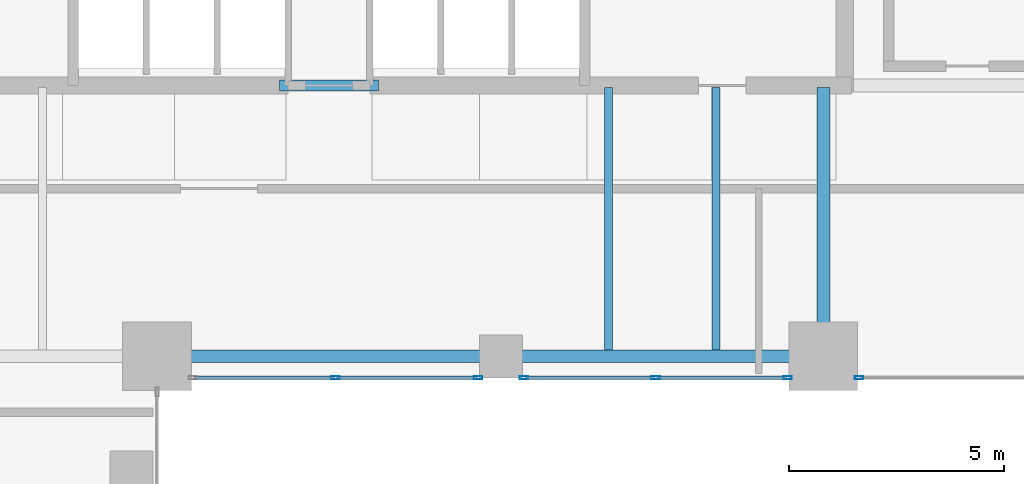
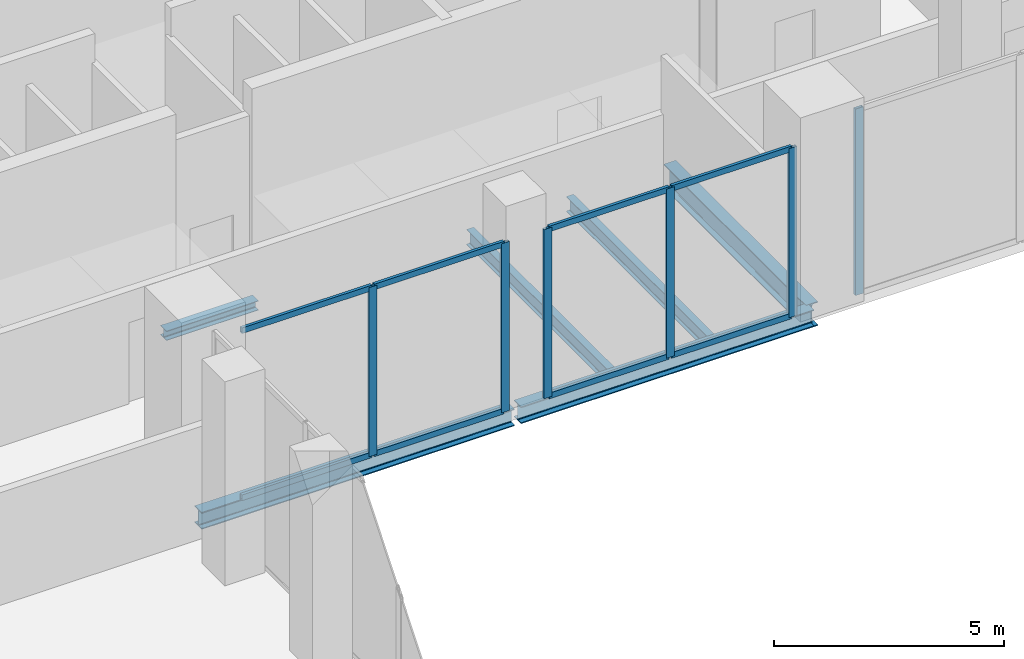
# One storey, part 10 of 24: 14 members, 6 beams, 3 elements without a shape of their own.
"""IFC4 building model written with IfcOpenShell, lengths in metres."""

from ifc_helpers import new_model, si_unit, direction, frame, origin, origin_2d, place, context, subcontext, project, spatial, hollow_rectangle, i_section, extrude, material, layer, layer_set, material_profile, profile_set, type_object, element, aggregate, save


model = new_model("IFC4")

# Units and contexts
model_context = context("Model", 3, precision=1e-05, world=origin(), true_north=direction((0.0, 1.0)))
body_context = subcontext(model_context, "Body", "Model", "MODEL_VIEW")
ifc_project = project(units=[si_unit("LENGTHUNIT", "METRE"), si_unit("AREAUNIT", "SQUARE_METRE"), si_unit("VOLUMEUNIT", "CUBIC_METRE"), si_unit("PLANEANGLEUNIT", "RADIAN"), si_unit("MASSUNIT", "GRAM", prefix="KILO")], contexts=[model_context])

# Site, building, storey
site_placement = place(None, origin())
site = spatial("IfcSite", under=ifc_project, at=site_placement, CompositionType="ELEMENT")
building_placement = place(site_placement, origin())
building = spatial("IfcBuilding", under=site, at=building_placement, Name="Catumbela Crestline Tower", CompositionType="ELEMENT")
storey_placement = place(building_placement, frame((0.0, 0.0, 15.9)))
storey = spatial("IfcBuildingStorey", under=building, at=storey_placement, Name="L03", CompositionType="ELEMENT", Elevation=15.9)

# Beams
ifc_material_1 = material(Name="Structural steel S355J2", Category="steel")
ifc_material_profile_1 = material_profile(ifc_material_1, i_section(OverallWidth=0.3, OverallDepth=0.64, WebThickness=0.0135, FlangeThickness=0.026, FilletRadius=0.027, at=origin_2d()), Name="HEA 650")
ifc_profile_set_1 = profile_set([ifc_material_profile_1], Name="Structural steel S355J2")
beam_type_1 = type_object("IfcBeamType", Name="BG-HEA650", PredefinedType="BEAM", material=ifc_profile_set_1)
beam_1_placement = place(storey_placement, frame((39.5, 24.58, -0.64), z_axis=(0.0, 1.0, 0.0), x_axis=(-1.0, 0.0, 0.0)))
element("IfcBeam", 1, at=beam_1_placement, inside=storey, type_object=beam_type_1, Name="L03 Beam BM-L03-SNS32", PredefinedType="BEAM", context=body_context, shape_type="SweptSolid", body=[
    extrude(i_section(OverallWidth=0.3, OverallDepth=0.64, WebThickness=0.0135, FlangeThickness=0.026, FilletRadius=0.027, at=origin_2d()), origin(), (0.0, 0.0, 1.0), 6.17),
])
ifc_material_profile_2 = material_profile(ifc_material_1, i_section(OverallWidth=0.26, OverallDepth=0.25, WebThickness=0.0075, FlangeThickness=0.0125, FilletRadius=0.024, at=origin_2d()), Name="HEA 260")
ifc_profile_set_2 = profile_set([ifc_material_profile_2], Name="Structural steel S355J2")
beam_type_2 = type_object("IfcBeamType", Name="BL-240", PredefinedType="LINTEL", material=ifc_profile_set_2)
beam_2_placement = place(storey_placement, frame((26.85, 30.8, -0.445), z_axis=(1.0, 0.0, 0.0), x_axis=(0.0, 1.0, 0.0)))
element("IfcBeam", 2, at=beam_2_placement, inside=storey, type_object=beam_type_2, Name="L03 Core Lobby Portal Lintel Beam", PredefinedType="LINTEL", context=body_context, shape_type="SweptSolid", body=[
    extrude(i_section(OverallWidth=0.26, OverallDepth=0.25, WebThickness=0.0075, FlangeThickness=0.0125, FilletRadius=0.024, at=origin_2d()), origin(), (0.0, 0.0, 1.0), 2.3),
])
ifc_material_profile_3 = material_profile(ifc_material_1, i_section(OverallWidth=0.18, OverallDepth=0.4, WebThickness=0.0086, FlangeThickness=0.0135, FilletRadius=0.021, at=origin_2d()), Name="IPE 400")
ifc_profile_set_3 = profile_set([ifc_material_profile_3], Name="Structural steel S355J2")
beam_type_3 = type_object("IfcBeamType", Name="BJ-IPE400", PredefinedType="JOIST", material=ifc_profile_set_3)
for number, where, z_axis, x_axis, name in (
    (3, (34.5, 24.647, -0.52), (0.0, 1.0, 0.0), (-1.0, 0.0, 0.0), "L03 Joist JS-L03-SP41"),
    (4, (37.0, 24.647, -0.52), (0.0, 1.0, 0.0), (-1.0, 0.0, 0.0), "L03 Joist JS-L03-SP42"),
):
    element("IfcBeam", number, at=place(storey_placement, frame(where, z_axis=z_axis, x_axis=x_axis)), inside=storey, type_object=beam_type_3, Name=name, PredefinedType="JOIST", context=body_context, shape_type="SweptSolid", body=[
        extrude(i_section(OverallWidth=0.18, OverallDepth=0.4, WebThickness=0.0086, FlangeThickness=0.0135, FilletRadius=0.021, at=origin_2d()), origin(), (0.0, 0.0, 1.0), 6.103),
    ])

# Curtain wall, members
ifc_material_2 = material(Name="Aluminium alloy AW-6060-T66", Category="aluminium")
ifc_layer = layer(ifc_material_2, 0.18, Name="Aluminium alloy AW-6060-T66")
ifc_layer_set = layer_set([ifc_layer], Name="Aluminium alloy AW-6060-T66")
curtain_wall_type = type_object("IfcCurtainWallType", Name="CWS-POD", PredefinedType="USERDEFINED", material=ifc_layer_set)
curtain_wall_1_placement = place(storey_placement, origin())
curtain_wall_1 = element("IfcCurtainWall", 5, at=curtain_wall_1_placement, inside=storey, type_object=curtain_wall_type, Name="L03 Stick Curtain Wall CW-L03-E3S1", ObjectType="STICK", PredefinedType="USERDEFINED")
ifc_material_profile_4 = material_profile(ifc_material_2, hollow_rectangle(XDim=0.075, YDim=0.2, WallThickness=0.005, at=origin_2d()), Name="ALU 200x75x5")
ifc_profile_set_4 = profile_set([ifc_material_profile_4], Name="Aluminium alloy AW-6060-T66")
member_type_1 = type_object("IfcMemberType", Name="MUL-200X75", PredefinedType="MULLION", material=ifc_profile_set_4)
member_1_placement = place(storey_placement, frame((28.15, 24.0, 0.0), z_axis=(0.0, 0.0, 1.0), x_axis=(0.0, 1.0, 0.0)))
member_1 = element("IfcMember", 6, at=member_1_placement, type_object=member_type_1, Name="CWS-POD mullion 2", PredefinedType="MULLION", context=body_context, shape_type="SweptSolid", body=[
    extrude(hollow_rectangle(XDim=0.075, YDim=0.2, WallThickness=0.005, at=origin_2d()), origin(), (0.0, 0.0, 1.0), 4.48),
])
member_2_placement = place(storey_placement, frame((31.4675, 24.0, 0.0), z_axis=(0.0, 0.0, 1.0), x_axis=(0.0, 1.0, 0.0)))
member_2 = element("IfcMember", 7, at=member_2_placement, type_object=member_type_1, Name="CWS-POD mullion 3", PredefinedType="MULLION", context=body_context, shape_type="SweptSolid", body=[
    extrude(hollow_rectangle(XDim=0.075, YDim=0.2, WallThickness=0.005, at=origin_2d()), origin(), (0.0, 0.0, 1.0), 4.48),
])

curtain_wall_2_placement = place(storey_placement, origin())
curtain_wall_2 = element("IfcCurtainWall", 8, at=curtain_wall_2_placement, inside=storey, type_object=curtain_wall_type, Name="L03 Stick Curtain Wall CW-L03-E3S2", ObjectType="STICK", PredefinedType="USERDEFINED")
member_3_placement = place(storey_placement, frame((32.5325, 24.0, 0.0), z_axis=(0.0, 0.0, 1.0), x_axis=(0.0, 1.0, 0.0)))
member_3 = element("IfcMember", 9, at=member_3_placement, type_object=member_type_1, Name="CWS-POD mullion 1", PredefinedType="MULLION", context=body_context, shape_type="SweptSolid", body=[
    extrude(hollow_rectangle(XDim=0.075, YDim=0.2, WallThickness=0.005, at=origin_2d()), origin(), (0.0, 0.0, 1.0), 4.48),
])
member_4_placement = place(storey_placement, frame((35.6, 24.0, 0.0), z_axis=(0.0, 0.0, 1.0), x_axis=(0.0, 1.0, 0.0)))
member_4 = element("IfcMember", 10, at=member_4_placement, type_object=member_type_1, Name="CWS-POD mullion 2", PredefinedType="MULLION", context=body_context, shape_type="SweptSolid", body=[
    extrude(hollow_rectangle(XDim=0.075, YDim=0.2, WallThickness=0.005, at=origin_2d()), origin(), (0.0, 0.0, 1.0), 4.48),
])
member_5_placement = place(storey_placement, frame((38.6675, 24.0, 0.0), z_axis=(0.0, 0.0, 1.0), x_axis=(0.0, 1.0, 0.0)))
member_5 = element("IfcMember", 11, at=member_5_placement, type_object=member_type_1, Name="CWS-POD mullion 3", PredefinedType="MULLION", context=body_context, shape_type="SweptSolid", body=[
    extrude(hollow_rectangle(XDim=0.075, YDim=0.2, WallThickness=0.005, at=origin_2d()), origin(), (0.0, 0.0, 1.0), 4.48),
])

# Curtain wall, member
curtain_wall_3_placement = place(storey_placement, origin())
curtain_wall_3 = element("IfcCurtainWall", 12, at=curtain_wall_3_placement, inside=storey, type_object=curtain_wall_type, Name="L03 Stick Curtain Wall CW-L03-E3S3", ObjectType="STICK", PredefinedType="USERDEFINED")
member_6_placement = place(storey_placement, frame((40.3325, 24.0, 0.0), z_axis=(0.0, 0.0, 1.0), x_axis=(0.0, 1.0, 0.0)))
member_6 = element("IfcMember", 13, at=member_6_placement, type_object=member_type_1, Name="CWS-POD mullion 1", PredefinedType="MULLION", context=body_context, shape_type="SweptSolid", body=[
    extrude(hollow_rectangle(XDim=0.075, YDim=0.2, WallThickness=0.005, at=origin_2d()), origin(), (0.0, 0.0, 1.0), 4.94),
])
aggregate(curtain_wall_3, [member_6])

# Beams
ifc_material_profile_5 = material_profile(ifc_material_1, i_section(OverallWidth=0.3, OverallDepth=0.45, WebThickness=0.014, FlangeThickness=0.026, FilletRadius=0.027, at=origin_2d()), Name="HEB 450")
ifc_profile_set_5 = profile_set([ifc_material_profile_5], Name="Structural steel S355J2")
beam_type_4 = type_object("IfcBeamType", Name="BS-HEB450", PredefinedType="SPANDREL", material=ifc_profile_set_5)
beam_3_placement = place(storey_placement, frame((24.08, 24.5, -0.545), z_axis=(1.0, 0.0, 0.0), x_axis=(0.0, 1.0, 0.0)))
element("IfcBeam", 14, at=beam_3_placement, inside=storey, type_object=beam_type_4, Name="L03 Spandrel SP-L03-S05", PredefinedType="SPANDREL", context=body_context, shape_type="SweptSolid", body=[
    extrude(i_section(OverallWidth=0.3, OverallDepth=0.45, WebThickness=0.014, FlangeThickness=0.026, FilletRadius=0.027, at=origin_2d()), origin(), (0.0, 0.0, 1.0), 7.84),
])
beam_4_placement = place(storey_placement, frame((32.08, 24.5, -0.545), z_axis=(1.0, 0.0, 0.0), x_axis=(0.0, 1.0, 0.0)))
element("IfcBeam", 15, at=beam_4_placement, inside=storey, type_object=beam_type_4, Name="L03 Spandrel SP-L03-S06", PredefinedType="SPANDREL", context=body_context, shape_type="SweptSolid", body=[
    extrude(i_section(OverallWidth=0.3, OverallDepth=0.45, WebThickness=0.014, FlangeThickness=0.026, FilletRadius=0.027, at=origin_2d()), origin(), (0.0, 0.0, 1.0), 7.34),
])

# Member
ifc_material_profile_6 = material_profile(ifc_material_2, hollow_rectangle(XDim=0.075, YDim=0.15, WallThickness=0.0045, at=origin_2d()), Name="ALU 150x75x4.5")
ifc_profile_set_6 = profile_set([ifc_material_profile_6], Name="Aluminium alloy AW-6060-T66")
member_type_2 = type_object("IfcMemberType", Name="TRN-150X75", PredefinedType="USERDEFINED", material=ifc_profile_set_6)
member_7_placement = place(storey_placement, frame((24.865, 24.0, 0.03), z_axis=(1.0, 0.0, 0.0), x_axis=(0.0, 1.0, 0.0)))
member_7 = element("IfcMember", 16, at=member_7_placement, type_object=member_type_2, Name="CWS-POD transom 1.1", ObjectType="TRANSOM", PredefinedType="USERDEFINED", context=body_context, shape_type="SweptSolid", body=[
    extrude(hollow_rectangle(XDim=0.075, YDim=0.15, WallThickness=0.0045, at=origin_2d()), origin(), (0.0, 0.0, 1.0), 3.2525),
])

member_8_placement = place(storey_placement, frame((24.865, 24.0, 4.45), z_axis=(1.0, 0.0, 0.0), x_axis=(0.0, 1.0, 0.0)))
member_8 = element("IfcMember", 17, at=member_8_placement, type_object=member_type_2, Name="CWS-POD transom 1.2", ObjectType="TRANSOM", PredefinedType="USERDEFINED", context=body_context, shape_type="SweptSolid", body=[
    extrude(hollow_rectangle(XDim=0.075, YDim=0.15, WallThickness=0.0045, at=origin_2d()), origin(), (0.0, 0.0, 1.0), 3.2525),
])

member_9_placement = place(storey_placement, frame((28.1825, 24.0, 0.03), z_axis=(1.0, 0.0, 0.0), x_axis=(0.0, 1.0, 0.0)))
member_9 = element("IfcMember", 18, at=member_9_placement, type_object=member_type_2, Name="CWS-POD transom 2.1", ObjectType="TRANSOM", PredefinedType="USERDEFINED", context=body_context, shape_type="SweptSolid", body=[
    extrude(hollow_rectangle(XDim=0.075, YDim=0.15, WallThickness=0.0045, at=origin_2d()), origin(), (0.0, 0.0, 1.0), 3.2525),
])

member_10_placement = place(storey_placement, frame((28.1825, 24.0, 4.45), z_axis=(1.0, 0.0, 0.0), x_axis=(0.0, 1.0, 0.0)))
member_10 = element("IfcMember", 19, at=member_10_placement, type_object=member_type_2, Name="CWS-POD transom 2.2", ObjectType="TRANSOM", PredefinedType="USERDEFINED", context=body_context, shape_type="SweptSolid", body=[
    extrude(hollow_rectangle(XDim=0.075, YDim=0.15, WallThickness=0.0045, at=origin_2d()), origin(), (0.0, 0.0, 1.0), 3.2525),
])

aggregate(curtain_wall_1, [member_1, member_2, member_7, member_8, member_9, member_10])

member_11_placement = place(storey_placement, frame((32.565, 24.0, 0.03), z_axis=(1.0, 0.0, 0.0), x_axis=(0.0, 1.0, 0.0)))
member_11 = element("IfcMember", 20, at=member_11_placement, type_object=member_type_2, Name="CWS-POD transom 1.1", ObjectType="TRANSOM", PredefinedType="USERDEFINED", context=body_context, shape_type="SweptSolid", body=[
    extrude(hollow_rectangle(XDim=0.075, YDim=0.15, WallThickness=0.0045, at=origin_2d()), origin(), (0.0, 0.0, 1.0), 3.0025),
])

member_12_placement = place(storey_placement, frame((32.565, 24.0, 4.45), z_axis=(1.0, 0.0, 0.0), x_axis=(0.0, 1.0, 0.0)))
member_12 = element("IfcMember", 21, at=member_12_placement, type_object=member_type_2, Name="CWS-POD transom 1.2", ObjectType="TRANSOM", PredefinedType="USERDEFINED", context=body_context, shape_type="SweptSolid", body=[
    extrude(hollow_rectangle(XDim=0.075, YDim=0.15, WallThickness=0.0045, at=origin_2d()), origin(), (0.0, 0.0, 1.0), 3.0025),
])

member_13_placement = place(storey_placement, frame((35.6325, 24.0, 0.03), z_axis=(1.0, 0.0, 0.0), x_axis=(0.0, 1.0, 0.0)))
member_13 = element("IfcMember", 22, at=member_13_placement, type_object=member_type_2, Name="CWS-POD transom 2.1", ObjectType="TRANSOM", PredefinedType="USERDEFINED", context=body_context, shape_type="SweptSolid", body=[
    extrude(hollow_rectangle(XDim=0.075, YDim=0.15, WallThickness=0.0045, at=origin_2d()), origin(), (0.0, 0.0, 1.0), 3.0025),
])

member_14_placement = place(storey_placement, frame((35.6325, 24.0, 4.45), z_axis=(1.0, 0.0, 0.0), x_axis=(0.0, 1.0, 0.0)))
member_14 = element("IfcMember", 23, at=member_14_placement, type_object=member_type_2, Name="CWS-POD transom 2.2", ObjectType="TRANSOM", PredefinedType="USERDEFINED", context=body_context, shape_type="SweptSolid", body=[
    extrude(hollow_rectangle(XDim=0.075, YDim=0.15, WallThickness=0.0045, at=origin_2d()), origin(), (0.0, 0.0, 1.0), 3.0025),
])

aggregate(curtain_wall_2, [member_3, member_4, member_5, member_11, member_12, member_13, member_14])

save(model, "model.ifc")
